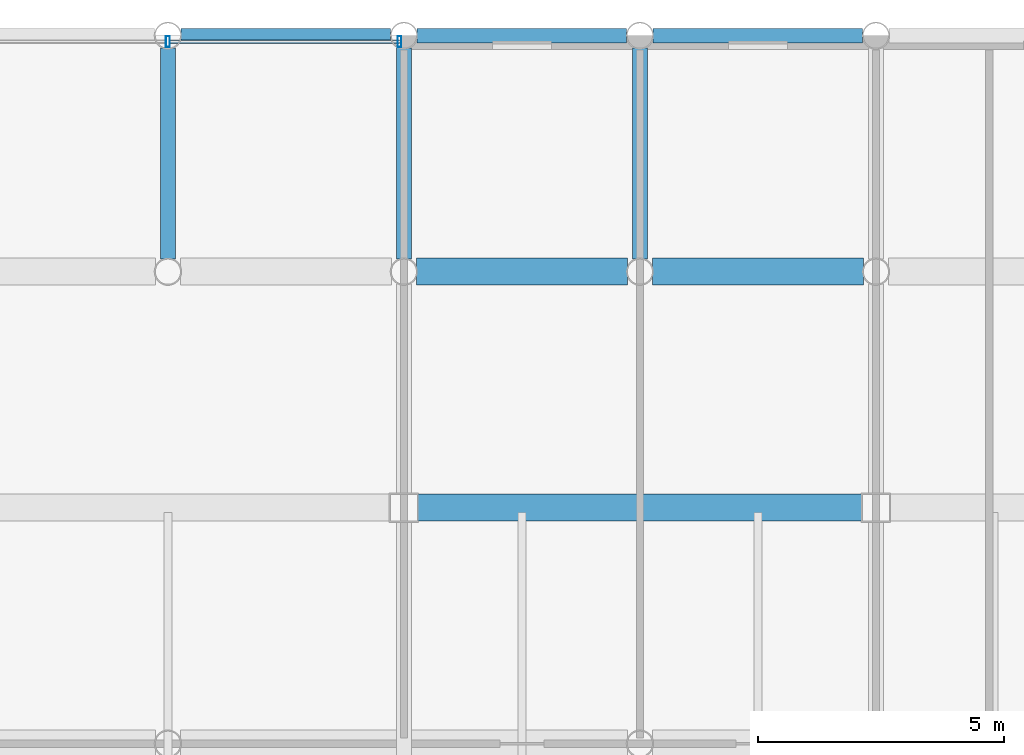
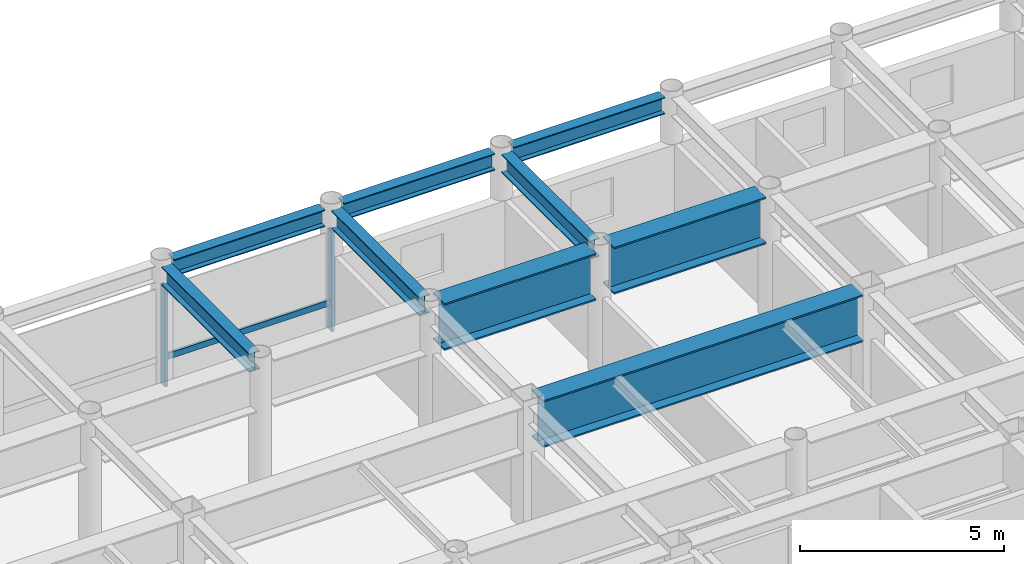
# One storey, part 15 of 27: 9 beams, 3 members, 1 element without a shape of its own.
"""IFC4 building model written with IfcOpenShell, lengths in metres."""

from ifc_helpers import new_model, si_unit, direction, frame, origin, origin_2d, place, context, subcontext, project, spatial, hollow_rectangle, i_section, extrude, material, layer, layer_set, material_profile, profile_set, type_object, element, aggregate, save


model = new_model("IFC4")

# Units and contexts
model_context = context("Model", 3, precision=1e-05, world=origin(), true_north=direction((0.0, 1.0)))
body_context = subcontext(model_context, "Body", "Model", "MODEL_VIEW")
ifc_project = project(units=[si_unit("LENGTHUNIT", "METRE"), si_unit("AREAUNIT", "SQUARE_METRE"), si_unit("VOLUMEUNIT", "CUBIC_METRE"), si_unit("PLANEANGLEUNIT", "RADIAN"), si_unit("MASSUNIT", "GRAM", prefix="KILO")], contexts=[model_context])

# Site, building, storey
site_placement = place(None, origin())
site = spatial("IfcSite", under=ifc_project, at=site_placement, CompositionType="ELEMENT")
building_placement = place(site_placement, origin())
building = spatial("IfcBuilding", under=site, at=building_placement, Name="Kallvorn Hotel Tower", CompositionType="ELEMENT")
storey_placement = place(building_placement, frame((0.0, 0.0, 245.39990234375)))
storey = spatial("IfcBuildingStorey", under=building, at=storey_placement, Name="L61", CompositionType="ELEMENT", Elevation=245.39990234375)

# Beams
ifc_material_1 = material(Name="Structural steel S355JR", Category="steel")
ifc_material_profile_1 = material_profile(ifc_material_1, i_section(OverallWidth=0.300048828125, OverallDepth=0.5, WebThickness=0.014404296875, FlangeThickness=0.028076171875, at=origin_2d()), Name="HE 500 B")
ifc_profile_set_1 = profile_set([ifc_material_profile_1], Name="Structural steel S355JR")
beam_type_1 = type_object("IfcBeamType", Name="BM_HE500B", PredefinedType="SPANDREL", material=ifc_profile_set_1)
for number, where, z_axis, x_axis, name in (
    (1, (0.26953125, 24.0, 3.420166015625), (1.0, 0.0, 0.0), (0.0, 1.0, 0.0), "L62 Perimeter Spandrel 178"),
    (2, (5.069580078125, 24.0, 3.420166015625), (1.0, 0.0, 0.0), (0.0, 1.0, 0.0), "L62 Perimeter Spandrel 179"),
):
    element("IfcBeam", number, at=place(storey_placement, frame(where, z_axis=z_axis, x_axis=x_axis)), inside=storey, type_object=beam_type_1, Name=name, PredefinedType="SPANDREL", context=body_context, shape_type="SweptSolid", body=[
        extrude(i_section(OverallWidth=0.300048828125, OverallDepth=0.5, WebThickness=0.014404296875, FlangeThickness=0.028076171875, at=origin_2d()), origin(), (0.0, 0.0, 1.0), 4.260986328125),
    ])
beam_1_placement = place(storey_placement, frame((9.869384765625, 24.0, 3.420166015625), z_axis=(1.0, 0.0, 0.0), x_axis=(0.0, 1.0, 0.0)))
element("IfcBeam", 3, at=beam_1_placement, inside=storey, type_object=beam_type_1, Name="L62 Perimeter Spandrel 180", PredefinedType="SPANDREL", context=body_context, shape_type="SweptSolid", body=[
    extrude(i_section(OverallWidth=0.300048828125, OverallDepth=0.5, WebThickness=0.014404296875, FlangeThickness=0.028076171875, at=origin_2d()), origin(), (0.0, 0.0, 1.0), 4.26123046875),
])
ifc_material_2 = material(Name="Structural steel S355JR", Category="steel")
ifc_material_profile_2 = material_profile(ifc_material_2, i_section(OverallWidth=0.300048828125, OverallDepth=0.550048828125, WebThickness=0.014892578125, FlangeThickness=0.029052734375, at=origin_2d()), Name="HE 550 B")
ifc_profile_set_2 = profile_set([ifc_material_profile_2], Name="Structural steel S355JR")
beam_type_2 = type_object("IfcBeamType", Name="BM_HE550B", PredefinedType="SPANDREL", material=ifc_profile_set_2)
for number, where, z_axis, x_axis, name in (
    (4, (0.0, 19.45458984375, 3.39501953125), (0.0, 1.0, 0.0), (-1.0, 0.0, 0.0), "L62 Primary Y-Girder 121"),
    (5, (4.800048828125, 19.45458984375, 3.39501953125), (0.0, 1.0, 0.0), (-1.0, 0.0, 0.0), "L62 Primary Y-Girder 126"),
    (6, (9.60009765625, 19.45458984375, 3.39501953125), (0.0, 1.0, 0.0), (-1.0, 0.0, 0.0), "L62 Primary Y-Girder 129"),
):
    element("IfcBeam", number, at=place(storey_placement, frame(where, z_axis=z_axis, x_axis=x_axis)), inside=storey, type_object=beam_type_2, Name=name, PredefinedType="SPANDREL", context=body_context, shape_type="SweptSolid", body=[
        extrude(i_section(OverallWidth=0.300048828125, OverallDepth=0.550048828125, WebThickness=0.014892578125, FlangeThickness=0.029052734375, at=origin_2d()), origin(), (0.0, 0.0, 1.0), 4.291015625),
    ])
ifc_material_3 = material(Name="Structural steel S355JR", Category="steel")
ifc_material_profile_3 = material_profile(ifc_material_3, i_section(OverallWidth=0.550048828125, OverallDepth=1.39990234375, WebThickness=0.02490234375, FlangeThickness=0.044921875, at=origin_2d()), Name="PG 1400x550x25x45")
ifc_profile_set_3 = profile_set([ifc_material_profile_3], Name="Structural steel S355JR")
beam_type_3 = type_object("IfcBeamType", Name="BM_PG_1400", PredefinedType="BEAM", material=ifc_profile_set_3)
beam_2_placement = place(storey_placement, frame((5.074951171875, 14.39990234375, 2.97021484375), z_axis=(1.0, 0.0, 0.0), x_axis=(0.0, 1.0, 0.0)))
element("IfcBeam", 7, at=beam_2_placement, inside=storey, type_object=beam_type_3, Name="L62 Primary X-Girder 64", PredefinedType="BEAM", context=body_context, shape_type="SweptSolid", body=[
    extrude(i_section(OverallWidth=0.550048828125, OverallDepth=1.39990234375, WebThickness=0.02490234375, FlangeThickness=0.044921875, at=origin_2d()), origin(), (0.0, 0.0, 1.0), 9.050048828125),
])
for number, where, z_axis, x_axis, name in (
    (8, (5.054443359375, 19.199951171875, 2.97021484375), (1.0, 0.0, 0.0), (0.0, 1.0, 0.0), "L62 Primary X-Girder 76"),
    (9, (9.8544921875, 19.199951171875, 2.97021484375), (1.0, 0.0, 0.0), (0.0, 1.0, 0.0), "L62 Primary X-Girder 77"),
):
    element("IfcBeam", number, at=place(storey_placement, frame(where, z_axis=z_axis, x_axis=x_axis)), inside=storey, type_object=beam_type_3, Name=name, PredefinedType="BEAM", context=body_context, shape_type="SweptSolid", body=[
        extrude(i_section(OverallWidth=0.550048828125, OverallDepth=1.39990234375, WebThickness=0.02490234375, FlangeThickness=0.044921875, at=origin_2d()), origin(), (0.0, 0.0, 1.0), 4.291015625),
    ])

# Curtain wall, members
ifc_material_4 = material(Name="Thermally broken black-anodised aluminium AA 6063-T6", Category="aluminium")
ifc_layer = layer(ifc_material_4, 0.22998046875)
ifc_layer_set = layer_set([ifc_layer], Name="CW_SYS_5_HOTEL_HIGH")
curtain_wall_type = type_object("IfcCurtainWallType", Name="CW_SYS_5_HOTEL_HIGH", PredefinedType="USERDEFINED", material=ifc_layer_set)
curtain_wall_placement = place(storey_placement, origin())
curtain_wall = element("IfcCurtainWall", 10, at=curtain_wall_placement, inside=storey, type_object=curtain_wall_type, Name="L61 Dark-Glass Curtain Wall CW-L61-NC", ObjectType="UNITISED CURTAIN WALL", PredefinedType="USERDEFINED")
ifc_material_5 = material(Name="Thermally broken black-anodised aluminium AA 6063-T6", Category="aluminium")
ifc_material_profile_4 = material_profile(ifc_material_5, hollow_rectangle(XDim=0.080078125, YDim=0.219970703125, WallThickness=0.0048828125, at=origin_2d()), Name="MUL 220x80")
ifc_profile_set_4 = profile_set([ifc_material_profile_4], Name="Thermally broken black-anodised aluminium AA 6063-T6")
member_type_1 = type_object("IfcMemberType", Name="CW_MULLION_220x80", PredefinedType="MULLION", material=ifc_profile_set_4)
member_1_placement = place(storey_placement, frame((0.0, 23.8798828125, 0.02001953125), z_axis=(0.0, 0.0, 1.0), x_axis=(1.0, 0.0, 0.0)))
member_1 = element("IfcMember", 11, at=member_1_placement, type_object=member_type_1, Name="CW-L61-NC Mullion 01", PredefinedType="MULLION", context=body_context, shape_type="SweptSolid", body=[
    extrude(hollow_rectangle(XDim=0.080078125, YDim=0.219970703125, WallThickness=0.0048828125, at=origin_2d()), origin(), (0.0, 0.0, 1.0), 2.97998046875),
])
member_2_placement = place(storey_placement, frame((4.7099609375, 23.8798828125, 0.02001953125), z_axis=(0.0, 0.0, 1.0), x_axis=(1.0, 0.0, 0.0)))
member_2 = element("IfcMember", 12, at=member_2_placement, type_object=member_type_1, Name="CW-L61-NC Mullion 02", PredefinedType="MULLION", context=body_context, shape_type="SweptSolid", body=[
    extrude(hollow_rectangle(XDim=0.080078125, YDim=0.219970703125, WallThickness=0.0048828125, at=origin_2d()), origin(), (0.0, 0.0, 1.0), 2.97998046875),
])
ifc_material_6 = material(Name="Thermally broken black-anodised aluminium AA 6063-T6", Category="aluminium")
ifc_material_profile_5 = material_profile(ifc_material_6, hollow_rectangle(XDim=0.070068359375, YDim=0.179931640625, WallThickness=0.00390625, at=origin_2d()), Name="TRN 180x70")
ifc_profile_set_5 = profile_set([ifc_material_profile_5], Name="Thermally broken black-anodised aluminium AA 6063-T6")
member_type_2 = type_object("IfcMemberType", Name="CW_TRANSOM_180x70", PredefinedType="USERDEFINED", material=ifc_profile_set_5)
member_3_placement = place(storey_placement, frame((0.0400390625, 23.8798828125, 0.85009765625), z_axis=(1.0, 0.0, 0.0), x_axis=(0.0, 1.0, 0.0)))
member_3 = element("IfcMember", 13, at=member_3_placement, type_object=member_type_2, Name="CW-L61-NC Transom 01M", ObjectType="TRANSOM", PredefinedType="USERDEFINED", context=body_context, shape_type="SweptSolid", body=[
    extrude(hollow_rectangle(XDim=0.070068359375, YDim=0.179931640625, WallThickness=0.00390625, at=origin_2d()), origin(), (0.0, 0.0, 1.0), 4.669921875),
])
aggregate(curtain_wall, [member_1, member_2, member_3])

save(model, "model.ifc")
